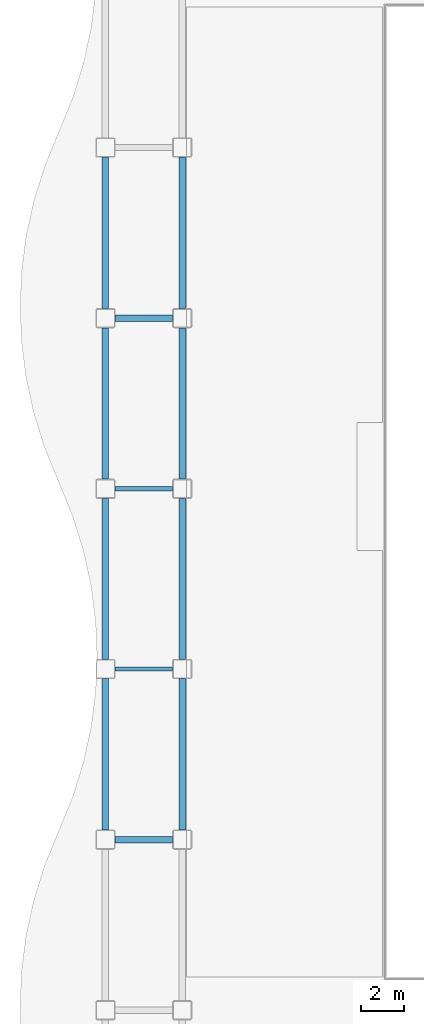
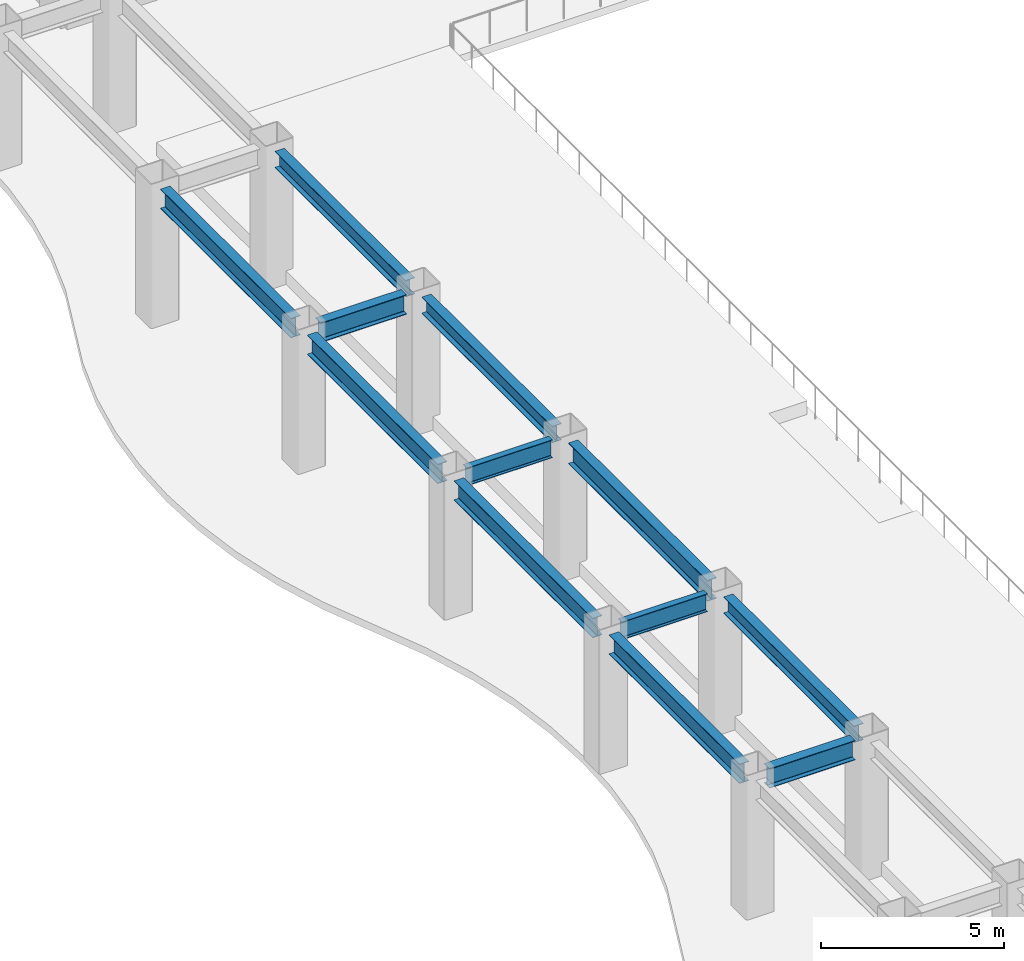
# One storey, part 63 of 172: 12 beams.
"""IFC4 building model written with IfcOpenShell, lengths in metres."""

from ifc_helpers import new_model, si_unit, direction, frame, origin, origin_2d, place, context, subcontext, project, spatial, i_section, extrude, material, material_profile, profile_set, type_object, element, save


model = new_model("IFC4")

# Units and contexts
model_context = context("Model", 3, precision=1e-05, world=origin(), true_north=direction((0.0, 1.0)))
body_context = subcontext(model_context, "Body", "Model", "MODEL_VIEW")
ifc_project = project(units=[si_unit("LENGTHUNIT", "METRE"), si_unit("AREAUNIT", "SQUARE_METRE"), si_unit("VOLUMEUNIT", "CUBIC_METRE"), si_unit("PLANEANGLEUNIT", "RADIAN"), si_unit("MASSUNIT", "GRAM", prefix="KILO")], contexts=[model_context])

# Site, building, storey
site_placement = place(None, origin())
site = spatial("IfcSite", under=ifc_project, at=site_placement, CompositionType="ELEMENT")
building_placement = place(site_placement, origin())
building = spatial("IfcBuilding", under=site, at=building_placement, Name="Kazehara Bluff Congress Hotel", CompositionType="ELEMENT")
storey_placement = place(building_placement, frame((0.0, 0.0, 5.39990234375)))
storey = spatial("IfcBuildingStorey", under=building, at=storey_placement, Name="L01", CompositionType="ELEMENT", Elevation=5.39990234375)

# Beams
ifc_material_1 = material(Name="Steel SN490B", Category="steel")
ifc_material_profile_1 = material_profile(ifc_material_1, i_section(OverallWidth=0.300048828125, OverallDepth=0.64990234375, WebThickness=0.011962890625, FlangeThickness=0.02001953125, FilletRadius=0.012939453125, at=origin_2d()))
ifc_profile_set_1 = profile_set([ifc_material_profile_1], Name="Steel SN490B")
beam_type_1 = type_object("IfcBeamType", Name="TP-G-03", PredefinedType="BEAM", material=ifc_profile_set_1)
beam_1_placement = place(storey_placement, frame((4.800048828125, 64.89990234375, 4.22509765625), z_axis=(0.0, 1.0, 0.0), x_axis=(-1.0, 0.0, 0.0)))
element("IfcBeam", 1, at=beam_1_placement, inside=storey, type_object=beam_type_1, Name="L01 girder G-03 3", PredefinedType="BEAM", context=body_context, shape_type="SweptSolid", body=[
    extrude(i_section(OverallWidth=0.300048828125, OverallDepth=0.64990234375, WebThickness=0.011962890625, FlangeThickness=0.02001953125, FilletRadius=0.012939453125, at=origin_2d()), origin(), (0.0, 0.0, 1.0), 7.10009765625),
])
beam_2_placement = place(storey_placement, frame((4.800048828125, 72.89990234375, 4.22509765625), z_axis=(0.0, 1.0, 0.0), x_axis=(-1.0, 0.0, 0.0)))
element("IfcBeam", 2, at=beam_2_placement, inside=storey, type_object=beam_type_1, Name="L01 girder G-03 4", PredefinedType="BEAM", context=body_context, shape_type="SweptSolid", body=[
    extrude(i_section(OverallWidth=0.300048828125, OverallDepth=0.64990234375, WebThickness=0.011962890625, FlangeThickness=0.02001953125, FilletRadius=0.012939453125, at=origin_2d()), origin(), (0.0, 0.0, 1.0), 7.550048828125),
])
for number, where, z_axis, x_axis, name in (
    (3, (4.800048828125, 81.35009765625, 4.22509765625), (0.0, 1.0, 0.0), (-1.0, 0.0, 0.0), "L01 girder G-03 5"),
    (4, (4.800048828125, 89.35009765625, 4.22509765625), (0.0, 1.0, 0.0), (-1.0, 0.0, 0.0), "L01 girder G-03 6"),
):
    element("IfcBeam", number, at=place(storey_placement, frame(where, z_axis=z_axis, x_axis=x_axis)), inside=storey, type_object=beam_type_1, Name=name, PredefinedType="BEAM", context=body_context, shape_type="SweptSolid", body=[
        extrude(i_section(OverallWidth=0.300048828125, OverallDepth=0.64990234375, WebThickness=0.011962890625, FlangeThickness=0.02001953125, FilletRadius=0.012939453125, at=origin_2d()), origin(), (0.0, 0.0, 1.0), 7.099853515625),
    ])
for number, where, z_axis, x_axis, name in (
    (5, (5.25, 64.449951171875, 4.22509765625), (1.0, 0.0, 0.0), (0.0, 1.0, 0.0), "L01 girder G-03 32"),
    (6, (5.25, 88.89990234375, 4.22509765625), (1.0, 0.0, 0.0), (0.0, 1.0, 0.0), "L01 girder G-03 35"),
):
    element("IfcBeam", number, at=place(storey_placement, frame(where, z_axis=z_axis, x_axis=x_axis)), inside=storey, type_object=beam_type_1, Name=name, PredefinedType="BEAM", context=body_context, shape_type="SweptSolid", body=[
        extrude(i_section(OverallWidth=0.300048828125, OverallDepth=0.64990234375, WebThickness=0.011962890625, FlangeThickness=0.02001953125, FilletRadius=0.012939453125, at=origin_2d()), origin(), (0.0, 0.0, 1.0), 2.699951171875),
    ])
ifc_material_2 = material(Name="Steel SN490B", Category="steel")
ifc_material_profile_2 = material_profile(ifc_material_2, i_section(OverallWidth=0.300048828125, OverallDepth=0.550048828125, WebThickness=0.010986328125, FlangeThickness=0.01806640625, FilletRadius=0.012939453125, at=origin_2d()))
ifc_profile_set_2 = profile_set([ifc_material_profile_2], Name="Steel SN490B")
beam_type_2 = type_object("IfcBeamType", Name="TP-SP-01", PredefinedType="SPANDREL", material=ifc_profile_set_2)
beam_3_placement = place(storey_placement, frame((8.39990234375, 64.89990234375, 4.275146484375), z_axis=(0.0, 1.0, 0.0), x_axis=(-1.0, 0.0, 0.0)))
element("IfcBeam", 7, at=beam_3_placement, inside=storey, type_object=beam_type_2, Name="L01 girder SP-01 11", PredefinedType="SPANDREL", context=body_context, shape_type="SweptSolid", body=[
    extrude(i_section(OverallWidth=0.300048828125, OverallDepth=0.550048828125, WebThickness=0.010986328125, FlangeThickness=0.01806640625, FilletRadius=0.012939453125, at=origin_2d()), origin(), (0.0, 0.0, 1.0), 7.10009765625),
])
for number, where, z_axis, x_axis, name in (
    (8, (8.39990234375, 81.35009765625, 4.275146484375), (0.0, 1.0, 0.0), (-1.0, 0.0, 0.0), "L01 girder SP-01 13"),
    (9, (8.39990234375, 89.35009765625, 4.275146484375), (0.0, 1.0, 0.0), (-1.0, 0.0, 0.0), "L01 girder SP-01 14"),
):
    element("IfcBeam", number, at=place(storey_placement, frame(where, z_axis=z_axis, x_axis=x_axis)), inside=storey, type_object=beam_type_2, Name=name, PredefinedType="SPANDREL", context=body_context, shape_type="SweptSolid", body=[
        extrude(i_section(OverallWidth=0.300048828125, OverallDepth=0.550048828125, WebThickness=0.010986328125, FlangeThickness=0.01806640625, FilletRadius=0.012939453125, at=origin_2d()), origin(), (0.0, 0.0, 1.0), 7.099853515625),
    ])
ifc_material_3 = material(Name="Steel SN490B", Category="steel")
ifc_material_profile_3 = material_profile(ifc_material_3, i_section(OverallWidth=0.199951171875, OverallDepth=0.60009765625, WebThickness=0.010986328125, FlangeThickness=0.01708984375, FilletRadius=0.012939453125, at=origin_2d()))
ifc_profile_set_3 = profile_set([ifc_material_profile_3], Name="Steel SN490B")
beam_type_3 = type_object("IfcBeamType", Name="TP-SP-02", PredefinedType="SPANDREL", material=ifc_profile_set_3)
for number, where, z_axis, x_axis, name in (
    (10, (5.25, 72.449951171875, 4.25), (1.0, 0.0, 0.0), (0.0, 1.0, 0.0), "L01 girder SP-02 33"),
    (11, (5.25, 80.89990234375, 4.25), (1.0, 0.0, 0.0), (0.0, 1.0, 0.0), "L01 girder SP-02 34"),
):
    element("IfcBeam", number, at=place(storey_placement, frame(where, z_axis=z_axis, x_axis=x_axis)), inside=storey, type_object=beam_type_3, Name=name, PredefinedType="SPANDREL", context=body_context, shape_type="SweptSolid", body=[
        extrude(i_section(OverallWidth=0.199951171875, OverallDepth=0.60009765625, WebThickness=0.010986328125, FlangeThickness=0.01708984375, FilletRadius=0.012939453125, at=origin_2d()), origin(), (0.0, 0.0, 1.0), 2.699951171875),
    ])
ifc_material_4 = material(Name="Steel SN490B", Category="steel")
ifc_material_profile_4 = material_profile(ifc_material_4, i_section(OverallWidth=0.300048828125, OverallDepth=0.699951171875, WebThickness=0.012939453125, FlangeThickness=0.02392578125, FilletRadius=0.01806640625, at=origin_2d()))
ifc_profile_set_4 = profile_set([ifc_material_profile_4], Name="Steel SN490B")
beam_type_4 = type_object("IfcBeamType", Name="TP-SP-03", PredefinedType="SPANDREL", material=ifc_profile_set_4)
beam_4_placement = place(storey_placement, frame((8.39990234375, 72.89990234375, 4.2001953125), z_axis=(0.0, 1.0, 0.0), x_axis=(-1.0, 0.0, 0.0)))
element("IfcBeam", 12, at=beam_4_placement, inside=storey, type_object=beam_type_4, Name="L01 girder SP-03 12", PredefinedType="SPANDREL", context=body_context, shape_type="SweptSolid", body=[
    extrude(i_section(OverallWidth=0.300048828125, OverallDepth=0.699951171875, WebThickness=0.012939453125, FlangeThickness=0.02392578125, FilletRadius=0.01806640625, at=origin_2d()), origin(), (0.0, 0.0, 1.0), 7.550048828125),
])

save(model, "model.ifc")
